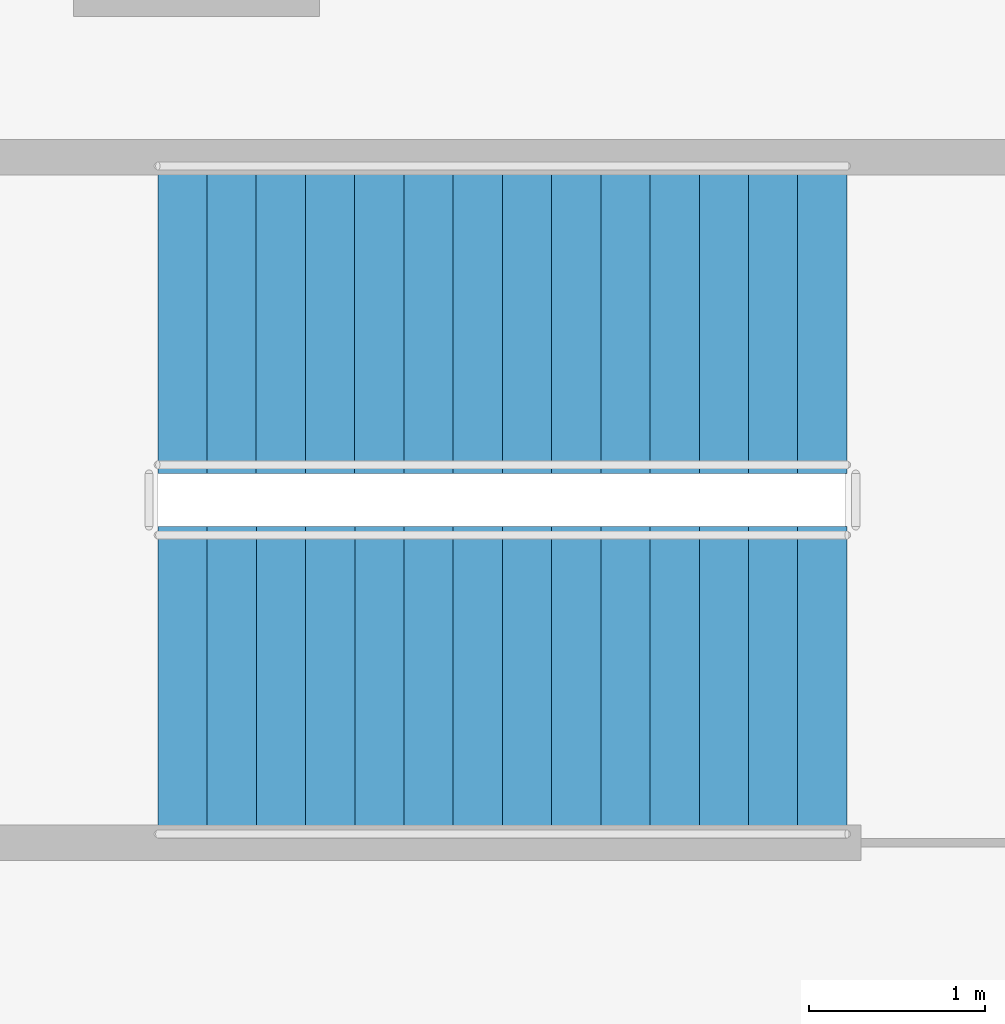
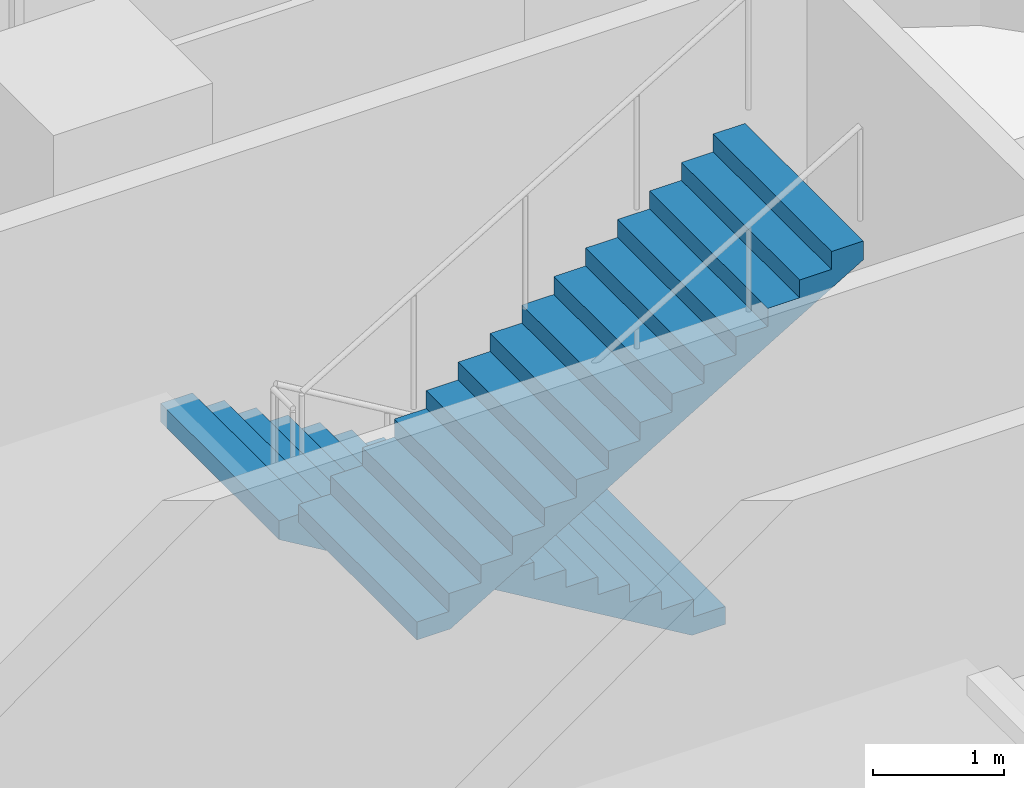
# One storey, part 33 of 44: 2 stair flights, 1 element without a shape of its own.
"""IFC4 building model written with IfcOpenShell, lengths in metres."""

from ifc_helpers import new_model, si_unit, direction, frame, origin, place, context, subcontext, project, spatial, polyline, outline, extrude, material, type_object, element, aggregate, save


model = new_model("IFC4")

# Units and contexts
model_context = context("Model", 3, precision=1e-05, world=origin(), true_north=direction((0.0, 1.0)))
body_context = subcontext(model_context, "Body", "Model", "MODEL_VIEW")
ifc_project = project(units=[si_unit("LENGTHUNIT", "METRE"), si_unit("AREAUNIT", "SQUARE_METRE"), si_unit("VOLUMEUNIT", "CUBIC_METRE"), si_unit("PLANEANGLEUNIT", "RADIAN"), si_unit("MASSUNIT", "GRAM", prefix="KILO")], contexts=[model_context])

# Site, building, storey
site_placement = place(None, origin())
site = spatial("IfcSite", under=ifc_project, at=site_placement, CompositionType="ELEMENT")
building_placement = place(site_placement, origin())
building = spatial("IfcBuilding", under=site, at=building_placement, Name="Tamarind Cross Interchange Tower", CompositionType="ELEMENT")
storey_placement = place(building_placement, frame((0.0, 0.0, 15.0)))
storey = spatial("IfcBuildingStorey", under=building, at=storey_placement, Name="L02", CompositionType="ELEMENT", Elevation=15.0)

# Stair, stair flights
ifc_material_1 = material(Name="Public stair")
stair_type = type_object("IfcStairType", Name="Public stair", PredefinedType="HALF_TURN_STAIR", material=ifc_material_1)
stair_placement = place(storey_placement, origin())
stair = element("IfcStair", 1, at=stair_placement, inside=storey, type_object=stair_type, Name="L02 exit stair XS-P01", PredefinedType="HALF_TURN_STAIR")
ifc_material_2 = material(Name="Public stair flight")
stair_flight_type = type_object("IfcStairFlightType", Name="Public stair flight", PredefinedType="STRAIGHT", material=ifc_material_2)
stair_flight_1_placement = place(storey_placement, frame((57.699951171875, 51.60009765625, 0.0), z_axis=(0.0, 0.0, 1.0), x_axis=(-1.0, 0.0, 0.0)))
stair_flight_1 = element("IfcStairFlight", 2, at=stair_flight_1_placement, type_object=stair_flight_type, Name="XS-P01 flight 1", NumberOfRisers=15, NumberOfTreads=14, PredefinedType="STRAIGHT", RiserHeight=0.166666667, TreadLength=0.28, context=body_context, shape_type="SweptSolid", body=[
    extrude(outline(polyline([(0.0, 0.0), (0.0, 0.166748046875), (0.280029296875, 0.166748046875), (0.280029296875, 0.333251953125), (0.56005859375, 0.333251953125), (0.56005859375, 0.5), (0.840087890625, 0.5), (0.840087890625, 0.666748046875), (1.1201171875, 0.666748046875), (1.1201171875, 0.833251953125), (1.39990234375, 0.833251953125), (1.39990234375, 1.0), (1.679931640625, 1.0), (1.679931640625, 1.166748046875), (1.9599609375, 1.166748046875), (1.9599609375, 1.333251953125), (2.239990234375, 1.333251953125), (2.239990234375, 1.5), (2.52001953125, 1.5), (2.52001953125, 1.666748046875), (2.800048828125, 1.666748046875), (2.800048828125, 1.833251953125), (3.080078125, 1.833251953125), (3.080078125, 2.0), (3.360107421875, 2.0), (3.360107421875, 2.166748046875), (3.639892578125, 2.166748046875), (3.639892578125, 2.333251953125), (3.919921875, 2.333251953125), (3.919921875, 2.5), (3.919921875, 2.158935546875), (0.29296875, 0.0), (0.0, 0.0)])), frame((0.0, 0.89990234375, 0.0), z_axis=(0.0, -1.0, 0.0), x_axis=(1.0, 0.0, 0.0)), (0.0, 0.0, 1.0), 1.800048828125),
])
stair_flight_2_placement = place(storey_placement, frame((53.780029296875, 49.5, 2.5), z_axis=(0.0, 0.0, 1.0), x_axis=(1.0, 0.0, 0.0)))
stair_flight_2 = element("IfcStairFlight", 3, at=stair_flight_2_placement, type_object=stair_flight_type, Name="XS-P01 flight 2", NumberOfRisers=15, NumberOfTreads=14, PredefinedType="STRAIGHT", RiserHeight=0.166666667, TreadLength=0.28, context=body_context, shape_type="SweptSolid", body=[
    extrude(outline(polyline([(0.0, 0.0), (0.0, 0.166748046875), (0.280029296875, 0.166748046875), (0.280029296875, 0.333251953125), (0.56005859375, 0.333251953125), (0.56005859375, 0.5), (0.840087890625, 0.5), (0.840087890625, 0.666748046875), (1.1201171875, 0.666748046875), (1.1201171875, 0.833251953125), (1.39990234375, 0.833251953125), (1.39990234375, 1.0), (1.679931640625, 1.0), (1.679931640625, 1.166748046875), (1.9599609375, 1.166748046875), (1.9599609375, 1.333251953125), (2.239990234375, 1.333251953125), (2.239990234375, 1.5), (2.52001953125, 1.5), (2.52001953125, 1.666748046875), (2.800048828125, 1.666748046875), (2.800048828125, 1.833251953125), (3.080078125, 1.833251953125), (3.080078125, 2.0), (3.360107421875, 2.0), (3.360107421875, 2.166748046875), (3.639892578125, 2.166748046875), (3.639892578125, 2.333251953125), (3.919921875, 2.333251953125), (3.919921875, 2.5), (3.919921875, 2.158935546875), (0.29296875, 0.0), (0.0, 0.0)])), frame((0.0, 0.89990234375, 0.0), z_axis=(0.0, -1.0, 0.0), x_axis=(1.0, 0.0, 0.0)), (0.0, 0.0, 1.0), 1.800048828125),
])
aggregate(stair, [stair_flight_1, stair_flight_2])

save(model, "model.ifc")
